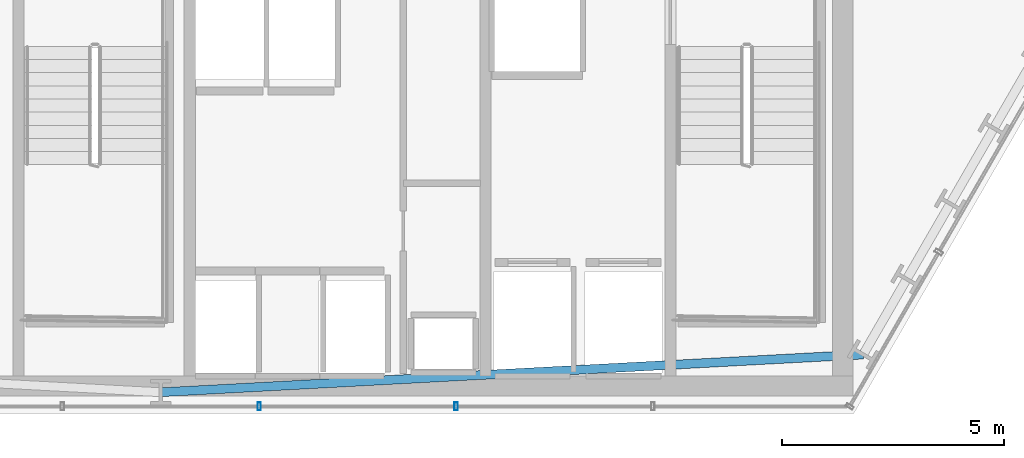
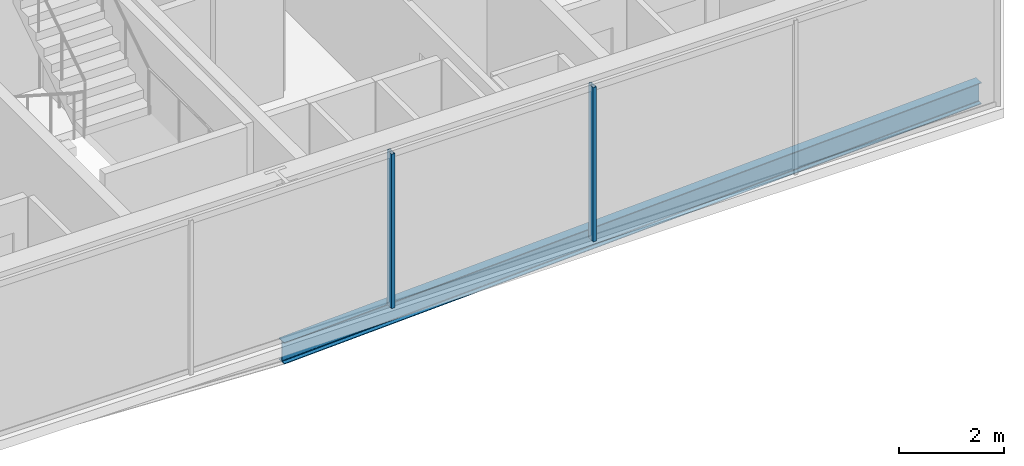
# One storey, part 8 of 32: 2 members, 1 beam, 1 element without a shape of its own.
"""IFC4 building model written with IfcOpenShell, lengths in metres."""

from ifc_helpers import new_model, si_unit, direction, frame, origin, origin_2d, place, context, subcontext, project, spatial, hollow_rectangle, i_section, extrude, material, layer, layer_set, material_profile, profile_set, type_object, element, aggregate, save


model = new_model("IFC4")

# Units and contexts
model_context = context("Model", 3, precision=1e-05, world=origin(), true_north=direction((0.0, 1.0)))
body_context = subcontext(model_context, "Body", "Model", "MODEL_VIEW")
ifc_project = project(units=[si_unit("LENGTHUNIT", "METRE"), si_unit("AREAUNIT", "SQUARE_METRE"), si_unit("VOLUMEUNIT", "CUBIC_METRE"), si_unit("PLANEANGLEUNIT", "RADIAN"), si_unit("MASSUNIT", "GRAM", prefix="KILO")], contexts=[model_context])

# Site, building, storey
site_placement = place(None, origin())
site = spatial("IfcSite", under=ifc_project, at=site_placement, CompositionType="ELEMENT")
building_placement = place(site_placement, origin())
building = spatial("IfcBuilding", under=site, at=building_placement, Name="Ndaravel Arena Tower", CompositionType="ELEMENT")
storey_placement = place(building_placement, frame((0.0, 0.0, 51.199951171875)))
storey = spatial("IfcBuildingStorey", under=building, at=storey_placement, Name="L10", CompositionType="ELEMENT", Elevation=51.199951171875)

# Beam
ifc_material_1 = material(Name="Steel S355", Category="steel")
ifc_material_profile_1 = material_profile(ifc_material_1, i_section(OverallWidth=0.199951171875, OverallDepth=0.5, WebThickness=0.01025390625, FlangeThickness=0.01611328125, FilletRadius=0.02099609375, at=origin_2d()), Name="IPE 500")
ifc_profile_set_1 = profile_set([ifc_material_profile_1], Name="Steel S355")
beam_type = type_object("IfcBeamType", Name="BM-SPAN-IPE500", PredefinedType="SPANDREL", material=ifc_profile_set_1)
beam_placement = place(storey_placement, frame((42.0, 5.47998046875, -0.469970703125), z_axis=(0.998561982084, 0.053609401572, 0.0), x_axis=(-0.053609401572, 0.998561982084, 0.0)))
element("IfcBeam", 1, at=beam_placement, inside=storey, type_object=beam_type, Name="L10 Perimeter Spandrel Beam SP-01", PredefinedType="SPANDREL", context=body_context, shape_type="SweptSolid", body=[
    extrude(i_section(OverallWidth=0.199951171875, OverallDepth=0.5, WebThickness=0.01025390625, FlangeThickness=0.01611328125, FilletRadius=0.02099609375, at=origin_2d()), origin(), (0.0, 0.0, 1.0), 15.80712890625),
])

# Curtain wall, members
ifc_material_2 = material(Name="Aluminium", Category="aluminium")
ifc_layer = layer(ifc_material_2, 0.179931640625)
ifc_layer_set = layer_set([ifc_layer], Name="Aluminium")
curtain_wall_type = type_object("IfcCurtainWallType", Name="CW-SYS-03", PredefinedType="NOTDEFINED", material=ifc_layer_set)
curtain_wall_placement = place(storey_placement, origin())
curtain_wall = element("IfcCurtainWall", 2, at=curtain_wall_placement, inside=storey, type_object=curtain_wall_type, Name="L10 Faceted Crystal Curtain Wall CW-L10-E01", PredefinedType="NOTDEFINED")
ifc_material_3 = material(Name="Aluminium", Category="aluminium")
ifc_material_profile_2 = material_profile(ifc_material_3, hollow_rectangle(XDim=0.074951171875, YDim=0.179931640625, WallThickness=0.00390625, at=origin_2d()), Name="CW MULLION 75x180x4")
ifc_profile_set_2 = profile_set([ifc_material_profile_2], Name="Aluminium")
member_type = type_object("IfcMemberType", Name="MEM-CW-MUL180", PredefinedType="MULLION", material=ifc_profile_set_2)
member_1_placement = place(storey_placement, frame((44.21142578125, 5.159912109375, 0.0), z_axis=(0.0, 0.0, 1.0), x_axis=(1.0, 0.0, 0.0)))
member_1 = element("IfcMember", 3, at=member_1_placement, type_object=member_type, Name="CW-L10-E01 Mullion 04", PredefinedType="MULLION", context=body_context, shape_type="SweptSolid", body=[
    extrude(hollow_rectangle(XDim=0.074951171875, YDim=0.179931640625, WallThickness=0.00390625, at=origin_2d()), origin(), (0.0, 0.0, 1.0), 3.580078125),
])
member_2_placement = place(storey_placement, frame((48.63427734375, 5.159912109375, 0.0), z_axis=(0.0, 0.0, 1.0), x_axis=(1.0, 0.0, 0.0)))
member_2 = element("IfcMember", 4, at=member_2_placement, type_object=member_type, Name="CW-L10-E01 Mullion 05", PredefinedType="MULLION", context=body_context, shape_type="SweptSolid", body=[
    extrude(hollow_rectangle(XDim=0.074951171875, YDim=0.179931640625, WallThickness=0.00390625, at=origin_2d()), origin(), (0.0, 0.0, 1.0), 3.580078125),
])
aggregate(curtain_wall, [member_1, member_2])

save(model, "model.ifc")
